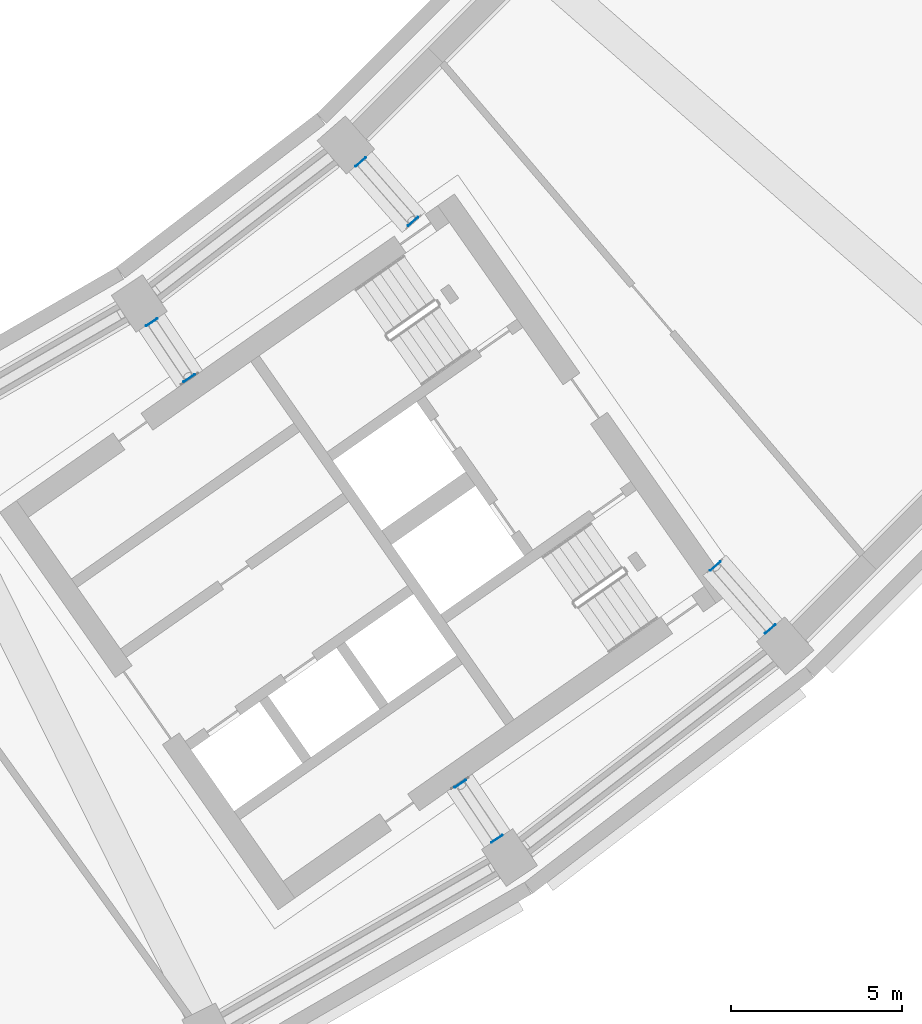
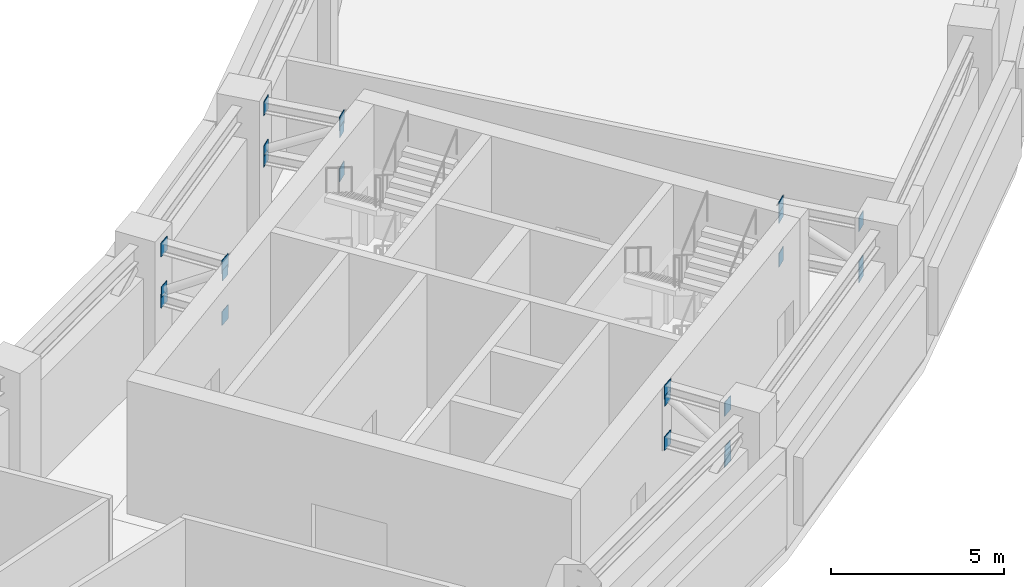
# One storey, part 12 of 24: 24 discrete accessories.
"""IFC4 building model written with IfcOpenShell, lengths in metres."""

import ifcopenshell
import ifcopenshell.guid

model = None  # the IFC model being written
_history = None  # IfcOwnerHistory: only IFC2X3 demands one
_inside = {}  # id of a spatial element -> (the spatial element, [elements in it])
_under = {}  # id of a project, library or spatial element -> (it, [spatial elements below it])
_declared = {}  # id of a project -> (the project, [libraries it declares])
_typed = {}  # id of a type object -> (the type object, [elements of that type])
_made_of = {}  # id of a material, layer set ... -> (it, [elements and type objects made of it])


def new_model(schema):
    """Start an empty IFC model of exactly this schema.

    Asked for "IFC4X3", IfcOpenShell would pick the latest addendum, in which some entities
    have other attributes; the version numbers below select the first issue.
    IFC2X3 requires an IfcOwnerHistory on every rooted entity: one is made here for all.
    """
    global model, _history
    if schema == "IFC4X3":
        model = ifcopenshell.file(schema_version=(4, 3, 0, 0))
    else:
        model = ifcopenshell.file(schema=schema)
    _inside.clear()
    _under.clear()
    _declared.clear()
    _typed.clear()
    _made_of.clear()
    _history = None
    if model.schema == "IFC2X3":
        org = make("IfcOrganization", Name="unknown")
        user = make(
            "IfcPersonAndOrganization",
            ThePerson=make("IfcPerson", FamilyName="unknown"),
            TheOrganization=org,
        )
        app = make(
            "IfcApplication",
            ApplicationDeveloper=org,
            Version="unknown",
            ApplicationFullName="unknown",
            ApplicationIdentifier="unknown",
        )
        _history = make(
            "IfcOwnerHistory",
            OwningUser=user,
            OwningApplication=app,
            ChangeAction="ADDED",
            CreationDate=0,
        )
    return model


def make(cls, **values):
    """One entity of the class cls with the attributes given. An attribute that is None is left unset."""
    return model.create_entity(
        cls, **{name: value for name, value in values.items() if value is not None}
    )


def rooted(cls, **values):
    """An entity with a GlobalId (a new one), such as an element, a storey or a relation."""
    return make(cls, GlobalId=ifcopenshell.guid.new(), OwnerHistory=_history, **values)


def si_unit(unit_type, name, prefix=None):
    """IfcSIUnit, for example si_unit("LENGTHUNIT", "METRE", prefix="MILLI")."""
    return make("IfcSIUnit", UnitType=unit_type, Prefix=prefix, Name=name)


def assignment(units):
    """IfcUnitAssignment: the units of a project."""
    return None if units is None else make("IfcUnitAssignment", Units=units)


def point(xyz):
    """IfcCartesianPoint."""
    return None if xyz is None else make("IfcCartesianPoint", Coordinates=xyz)


def direction(xyz):
    """IfcDirection."""
    return None if xyz is None else make("IfcDirection", DirectionRatios=xyz)


def frame(location, z_axis=None, x_axis=None):
    """IfcAxis2Placement3D, a coordinate frame: its origin and axes. An axis left out is left unset."""
    return make(
        "IfcAxis2Placement3D",
        Location=point(location),
        Axis=direction(z_axis),
        RefDirection=direction(x_axis),
    )


def frame_2d(location, x_axis=None):
    """IfcAxis2Placement2D, a coordinate frame in the plane: its origin and x axis."""
    return make(
        "IfcAxis2Placement2D", Location=point(location), RefDirection=direction(x_axis)
    )


def origin():
    """The frame at (0, 0, 0) with its axes left unset."""
    return frame((0.0, 0.0, 0.0))


def origin_2d():
    """The frame at (0, 0) in the plane with its x axis left unset."""
    return frame_2d((0.0, 0.0))


def place(relative_to, where):
    """IfcLocalPlacement: puts the frame where relative to a parent placement (None: the world)."""
    return make(
        "IfcLocalPlacement", PlacementRelTo=relative_to, RelativePlacement=where
    )


def context(
    kind, dimensions, precision=None, world=None, true_north=None, identifier=None
):
    """IfcGeometricRepresentationContext, for example the 3D "Model" context."""
    return make(
        "IfcGeometricRepresentationContext",
        ContextIdentifier=identifier,
        ContextType=kind,
        CoordinateSpaceDimension=dimensions,
        Precision=precision,
        WorldCoordinateSystem=world,
        TrueNorth=true_north,
    )


def subcontext(parent, identifier, kind, view, scale=None):
    """IfcGeometricRepresentationSubContext, for example "Body" below "Model"."""
    return make(
        "IfcGeometricRepresentationSubContext",
        ContextIdentifier=identifier,
        ContextType=kind,
        ParentContext=parent,
        TargetScale=scale,
        TargetView=view,
    )


def project(units=None, contexts=None):
    """IfcProject with its units and contexts."""
    return rooted(
        "IfcProject",
        Name="project",
        RepresentationContexts=contexts,
        UnitsInContext=assignment(units),
    )


def spatial(cls, under=None, at=None, **own):
    """A site, building, storey or space (cls), placed at a placement, below another one or the project."""
    s = rooted(cls, ObjectPlacement=at, **own)
    if under is not None:
        _under.setdefault(under.id(), (under, []))[1].append(s)
    return s


def profile(cls, at=None, kind="AREA", **sizes):
    """A parametric profile (cls). Its sizes go by their IFC names, for example OverallWidth=200.0."""
    return make(cls, ProfileType=kind, Position=at, **sizes)


def rectangle(**sizes):
    """IfcRectangleProfileDef."""
    return profile("IfcRectangleProfileDef", **sizes)


def extrude(swept, where, along, depth):
    """IfcExtrudedAreaSolid: the profile swept, set in the frame where, extruded along a direction by depth."""
    return make(
        "IfcExtrudedAreaSolid",
        SweptArea=swept,
        Position=where,
        ExtrudedDirection=direction(along),
        Depth=depth,
    )


def shape(context_of_items, identifier, shape_type, items):
    """IfcShapeRepresentation: the items that make up one representation, for example the "Body"."""
    return make(
        "IfcShapeRepresentation",
        ContextOfItems=context_of_items,
        RepresentationIdentifier=identifier,
        RepresentationType=shape_type,
        Items=items,
    )


def material(Name=None, Category=None):
    """IfcMaterial."""
    return make("IfcMaterial", Name=Name, Category=Category)


def layer(
    of_material, thickness, ventilated=None, Name=None, Category=None, Priority=None
):
    """IfcMaterialLayer: one layer of a wall or slab, of a material (None: an air gap)."""
    return make(
        "IfcMaterialLayer",
        Material=of_material,
        LayerThickness=thickness,
        IsVentilated=ventilated,
        Name=Name,
        Category=Category,
        Priority=Priority,
    )


def layer_set(layers, Name=None):
    """IfcMaterialLayerSet."""
    return make("IfcMaterialLayerSet", MaterialLayers=layers, LayerSetName=Name)


def made_of(thing, what):
    """Note that an element or type object is made of a material, layer set ...; save() writes the relation."""
    if what is not None:
        _made_of.setdefault(what.id(), (what, []))[1].append(thing)
    return thing


def type_object(cls, material=None, **own):
    """A type object (cls), such as IfcWallType, which elements share."""
    return made_of(rooted(cls, **own), material)


def element(
    cls,
    number,
    at=None,
    inside=None,
    cuts=None,
    type_object=None,
    material=None,
    context=None,
    identifier="Body",
    shape_type=None,
    held_by="IfcProductDefinitionShape",
    body=None,
    shapes=None,
    **own,
):
    """One element of the class cls, such as IfcWall. Its Tag is "e" and its number.

    at: its placement. inside: the storey or other place that contains it. cuts: it is an
    opening in that element (IfcRelVoidsElement). A single representation is given by context,
    identifier, shape_type and body (its items); several are given by shapes. held_by: the class
    of the entity that holds the representations. save() writes the other relations.
    """
    e = rooted(cls, Tag="e%d" % number, ObjectPlacement=at, **own)
    if body is not None:
        shapes = [shape(context, identifier, shape_type, body)]
    if shapes is not None:
        e.Representation = make(held_by, Representations=shapes)
    if inside is not None:
        _inside.setdefault(inside.id(), (inside, []))[1].append(e)
    if cuts is not None:
        rooted(
            "IfcRelVoidsElement", RelatingBuildingElement=cuts, RelatedOpeningElement=e
        )
    if type_object is not None:
        _typed.setdefault(type_object.id(), (type_object, []))[1].append(e)
    return made_of(e, material)


def aggregate(whole, parts):
    """IfcRelAggregates: a whole, such as a stair, and the parts it consists of."""
    return rooted("IfcRelAggregates", RelatingObject=whole, RelatedObjects=parts)


def save(model, path):
    """Write the relations noted so far, then the file.

    IfcRelAggregates (storeys below a building ...), IfcRelContainedInSpatialStructure (elements
    in a storey), IfcRelDefinesByType, IfcRelAssociatesMaterial and IfcRelDeclares: one each for
    every whole, place, type object, material and project.
    """
    for whole, parts in _under.values():
        aggregate(whole, parts)
    for where, things in _inside.values():
        rooted(
            "IfcRelContainedInSpatialStructure",
            RelatedElements=things,
            RelatingStructure=where,
        )
    for kind, things in _typed.values():
        rooted("IfcRelDefinesByType", RelatedObjects=things, RelatingType=kind)
    for what, things in _made_of.values():
        rooted("IfcRelAssociatesMaterial", RelatedObjects=things, RelatingMaterial=what)
    for by, libraries in _declared.values():
        rooted("IfcRelDeclares", RelatingContext=by, RelatedDefinitions=libraries)
    model.write(path)


model = new_model("IFC4")

# Units and contexts
model_context = context("Model", 3, precision=1e-05, world=origin(), true_north=direction((0.0, 1.0)))
body_context = subcontext(model_context, "Body", "Model", "MODEL_VIEW")
ifc_project = project(units=[si_unit("LENGTHUNIT", "METRE"), si_unit("AREAUNIT", "SQUARE_METRE"), si_unit("VOLUMEUNIT", "CUBIC_METRE"), si_unit("PLANEANGLEUNIT", "RADIAN"), si_unit("MASSUNIT", "GRAM", prefix="KILO")], contexts=[model_context])

# Site, building, storey
site_placement = place(None, origin())
site = spatial("IfcSite", under=ifc_project, at=site_placement, CompositionType="ELEMENT")
building_placement = place(site_placement, origin())
building = spatial("IfcBuilding", under=site, at=building_placement, Name="Qamariyya Broadcast Tower", CompositionType="ELEMENT")
storey_placement = place(building_placement, frame((0.0, 0.0, 198.699951171875)))
storey = spatial("IfcBuildingStorey", under=building, at=storey_placement, Name="L47", CompositionType="ELEMENT", Elevation=198.699951171875)

# Discrete accessories
ifc_material = material(Name="Steel S355", Category="steel")
ifc_layer = layer(ifc_material, 0.02001953125)
ifc_layer_set = layer_set([ifc_layer], Name="End plate 20 Steel S355")
discrete_accessory_type = type_object("IfcDiscreteAccessoryType", Name="End plate 20 Steel S355", PredefinedType="BRACKET", material=ifc_layer_set)
for number, where, z_axis, x_axis, name in (
    (1, (32.728759765625, -48.98193359375, 4.26025390625), (0.0, 0.0, 1.0), (-0.831469612303, -0.55557023302, 0.0), "End plate EP1 L47 R15 tc"),
    (2, (33.82275390625, -50.619384765625, 4.26025390625), (0.0, 0.0, 1.0), (-0.831469612303, -0.55557023302, 0.0), "End plate EP1 L47 R15 tc"),
    (3, (32.728759765625, -48.98193359375, 2.4501953125), (0.0, 0.0, 1.0), (-0.831469612303, -0.55557023302, 0.0), "End plate EP1 L47 R15 bc"),
    (4, (33.82275390625, -50.619384765625, 2.4501953125), (0.0, 0.0, 1.0), (-0.831469612303, -0.55557023302, 0.0), "End plate EP1 L47 R15 bc"),
):
    element("IfcDiscreteAccessory", number, at=place(storey_placement, frame(where, z_axis=z_axis, x_axis=x_axis)), inside=storey, type_object=discrete_accessory_type, Name=name, PredefinedType="BRACKET", context=body_context, shape_type="SweptSolid", body=[
        extrude(rectangle(XDim=0.39990234375, YDim=0.02001953125, at=origin_2d()), origin(), (0.0, 0.0, 1.0), 0.489990234375),
    ])
for number, where, z_axis, x_axis, name in (
    (5, (32.728759765625, -48.98193359375, 2.817138671875), (0.0, 0.0, 1.0), (-0.831469612303, -0.55557023302, 0.0), "End plate EP1 L47 R15 dg"),
    (6, (33.82275390625, -50.619384765625, 4.009765625), (0.0, 0.0, 1.0), (-0.831469612303, -0.55557023302, 0.0), "End plate EP1 L47 R15 dg"),
):
    element("IfcDiscreteAccessory", number, at=place(storey_placement, frame(where, z_axis=z_axis, x_axis=x_axis)), inside=storey, type_object=discrete_accessory_type, Name=name, PredefinedType="BRACKET", context=body_context, shape_type="SweptSolid", body=[
        extrude(rectangle(XDim=0.373046875, YDim=0.02001953125, at=origin_2d()), origin(), (0.0, 0.0, 1.0), 0.373046875),
    ])
for number, where, z_axis, x_axis, name in (
    (7, (41.752685546875, -62.4873046875, 4.26025390625), (0.0, 0.0, 1.0), (-0.831469612303, -0.55557023302, 0.0), "End plate EP1 L47 R15 tc"),
    (8, (42.828857421875, -64.097900390625, 4.26025390625), (0.0, 0.0, 1.0), (-0.831469612303, -0.55557023302, 0.0), "End plate EP1 L47 R15 tc"),
    (9, (41.752685546875, -62.4873046875, 2.4501953125), (0.0, 0.0, 1.0), (-0.831469612303, -0.55557023302, 0.0), "End plate EP1 L47 R15 bc"),
    (10, (42.828857421875, -64.097900390625, 2.4501953125), (0.0, 0.0, 1.0), (-0.831469612303, -0.55557023302, 0.0), "End plate EP1 L47 R15 bc"),
):
    element("IfcDiscreteAccessory", number, at=place(storey_placement, frame(where, z_axis=z_axis, x_axis=x_axis)), inside=storey, type_object=discrete_accessory_type, Name=name, PredefinedType="BRACKET", context=body_context, shape_type="SweptSolid", body=[
        extrude(rectangle(XDim=0.39990234375, YDim=0.02001953125, at=origin_2d()), origin(), (0.0, 0.0, 1.0), 0.489990234375),
    ])
for number, where, z_axis, x_axis, name in (
    (11, (41.752685546875, -62.4873046875, 4.010498046875), (0.0, 0.0, 1.0), (-0.831469612303, -0.55557023302, 0.0), "End plate EP1 L47 R15 dg"),
    (12, (42.828857421875, -64.097900390625, 2.81640625), (0.0, 0.0, 1.0), (-0.831469612303, -0.55557023302, 0.0), "End plate EP1 L47 R15 dg"),
):
    element("IfcDiscreteAccessory", number, at=place(storey_placement, frame(where, z_axis=z_axis, x_axis=x_axis)), inside=storey, type_object=discrete_accessory_type, Name=name, PredefinedType="BRACKET", context=body_context, shape_type="SweptSolid", body=[
        extrude(rectangle(XDim=0.373046875, YDim=0.02001953125, at=origin_2d()), origin(), (0.0, 0.0, 1.0), 0.373046875),
    ])
for number, where, z_axis, x_axis, name in (
    (13, (38.842041015625, -44.290771484375, 4.26025390625), (0.0, 0.0, 1.0), (-0.751839807479, -0.6593458151, 0.0), "End plate EP1 L47 R16 tc"),
    (14, (40.37109375, -46.034423828125, 4.26025390625), (0.0, 0.0, 1.0), (-0.751839807479, -0.6593458151, 0.0), "End plate EP1 L47 R16 tc"),
    (15, (38.842041015625, -44.290771484375, 2.4501953125), (0.0, 0.0, 1.0), (-0.751839807479, -0.6593458151, 0.0), "End plate EP1 L47 R16 bc"),
    (16, (40.37109375, -46.034423828125, 2.4501953125), (0.0, 0.0, 1.0), (-0.751839807479, -0.6593458151, 0.0), "End plate EP1 L47 R16 bc"),
):
    element("IfcDiscreteAccessory", number, at=place(storey_placement, frame(where, z_axis=z_axis, x_axis=x_axis)), inside=storey, type_object=discrete_accessory_type, Name=name, PredefinedType="BRACKET", context=body_context, shape_type="SweptSolid", body=[
        extrude(rectangle(XDim=0.39990234375, YDim=0.02001953125, at=origin_2d()), origin(), (0.0, 0.0, 1.0), 0.489990234375),
    ])
for number, where, z_axis, x_axis, name in (
    (17, (38.842041015625, -44.290771484375, 2.823486328125), (0.0, 0.0, 1.0), (-0.751839807479, -0.6593458151, 0.0), "End plate EP1 L47 R16 dg"),
    (18, (40.37109375, -46.034423828125, 4.003662109375), (0.0, 0.0, 1.0), (-0.751839807479, -0.6593458151, 0.0), "End plate EP1 L47 R16 dg"),
):
    element("IfcDiscreteAccessory", number, at=place(storey_placement, frame(where, z_axis=z_axis, x_axis=x_axis)), inside=storey, type_object=discrete_accessory_type, Name=name, PredefinedType="BRACKET", context=body_context, shape_type="SweptSolid", body=[
        extrude(rectangle(XDim=0.373046875, YDim=0.02001953125, at=origin_2d()), origin(), (0.0, 0.0, 1.0), 0.373046875),
    ])
for number, where, z_axis, x_axis, name in (
    (19, (49.217529296875, -56.121826171875, 4.26025390625), (0.0, 0.0, 1.0), (-0.751839807479, -0.6593458151, 0.0), "End plate EP1 L47 R16 tc"),
    (20, (50.828857421875, -57.959228515625, 4.26025390625), (0.0, 0.0, 1.0), (-0.751839807479, -0.6593458151, 0.0), "End plate EP1 L47 R16 tc"),
    (21, (49.217529296875, -56.121826171875, 2.4501953125), (0.0, 0.0, 1.0), (-0.751839807479, -0.6593458151, 0.0), "End plate EP1 L47 R16 bc"),
    (22, (50.828857421875, -57.959228515625, 2.4501953125), (0.0, 0.0, 1.0), (-0.751839807479, -0.6593458151, 0.0), "End plate EP1 L47 R16 bc"),
):
    element("IfcDiscreteAccessory", number, at=place(storey_placement, frame(where, z_axis=z_axis, x_axis=x_axis)), inside=storey, type_object=discrete_accessory_type, Name=name, PredefinedType="BRACKET", context=body_context, shape_type="SweptSolid", body=[
        extrude(rectangle(XDim=0.39990234375, YDim=0.02001953125, at=origin_2d()), origin(), (0.0, 0.0, 1.0), 0.489990234375),
    ])
for number, where, z_axis, x_axis, name in (
    (23, (49.217529296875, -56.121826171875, 4.001953125), (0.0, 0.0, 1.0), (-0.751839807479, -0.6593458151, 0.0), "End plate EP1 L47 R16 dg"),
    (24, (50.828857421875, -57.959228515625, 2.824951171875), (0.0, 0.0, 1.0), (-0.751839807479, -0.6593458151, 0.0), "End plate EP1 L47 R16 dg"),
):
    element("IfcDiscreteAccessory", number, at=place(storey_placement, frame(where, z_axis=z_axis, x_axis=x_axis)), inside=storey, type_object=discrete_accessory_type, Name=name, PredefinedType="BRACKET", context=body_context, shape_type="SweptSolid", body=[
        extrude(rectangle(XDim=0.373046875, YDim=0.02001953125, at=origin_2d()), origin(), (0.0, 0.0, 1.0), 0.373046875),
    ])

save(model, "model.ifc")
